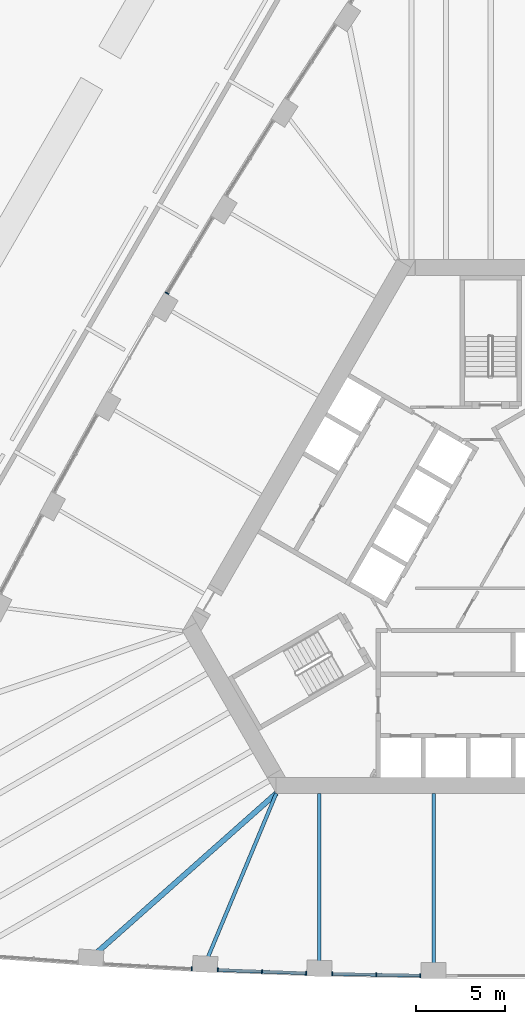
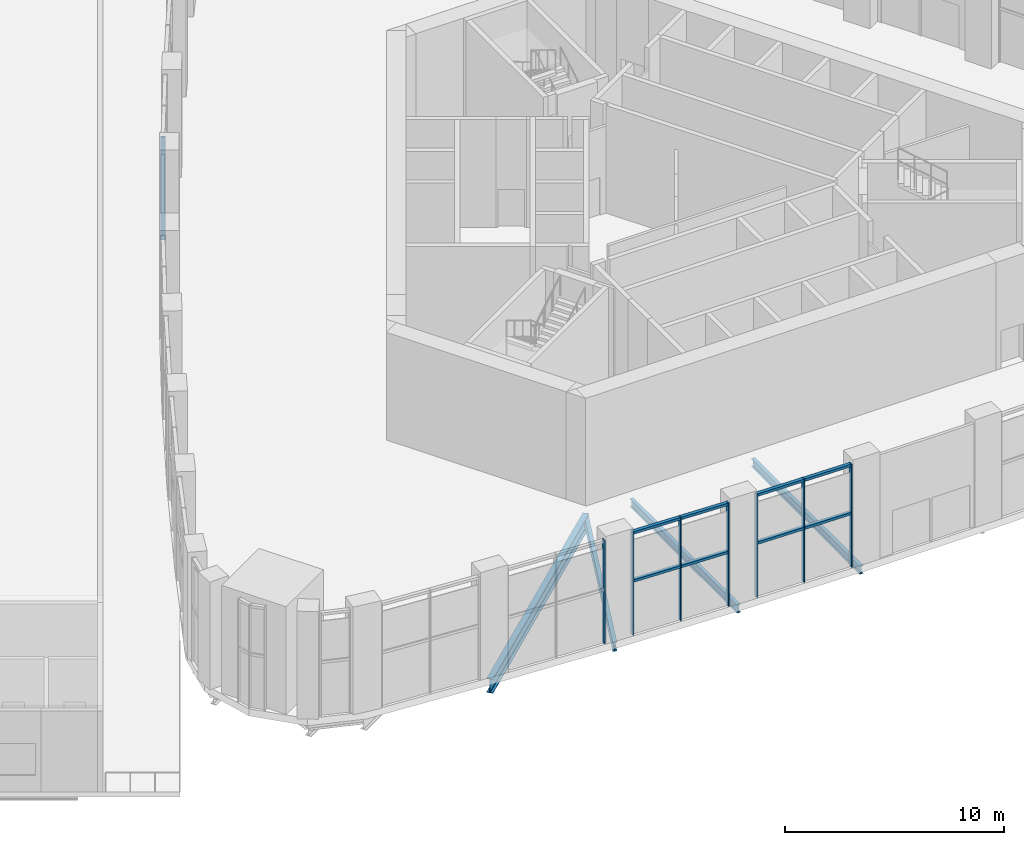
# One storey, part 5 of 41: 16 members, 4 beams, 2 elements without a shape of their own.
"""IFC4 building model written with IfcOpenShell, lengths in metres."""

import ifcopenshell
import ifcopenshell.guid

model = None  # the IFC model being written
_history = None  # IfcOwnerHistory: only IFC2X3 demands one
_inside = {}  # id of a spatial element -> (the spatial element, [elements in it])
_under = {}  # id of a project, library or spatial element -> (it, [spatial elements below it])
_declared = {}  # id of a project -> (the project, [libraries it declares])
_typed = {}  # id of a type object -> (the type object, [elements of that type])
_made_of = {}  # id of a material, layer set ... -> (it, [elements and type objects made of it])


def new_model(schema):
    """Start an empty IFC model of exactly this schema.

    Asked for "IFC4X3", IfcOpenShell would pick the latest addendum, in which some entities
    have other attributes; the version numbers below select the first issue.
    IFC2X3 requires an IfcOwnerHistory on every rooted entity: one is made here for all.
    """
    global model, _history
    if schema == "IFC4X3":
        model = ifcopenshell.file(schema_version=(4, 3, 0, 0))
    else:
        model = ifcopenshell.file(schema=schema)
    _inside.clear()
    _under.clear()
    _declared.clear()
    _typed.clear()
    _made_of.clear()
    _history = None
    if model.schema == "IFC2X3":
        org = make("IfcOrganization", Name="unknown")
        user = make(
            "IfcPersonAndOrganization",
            ThePerson=make("IfcPerson", FamilyName="unknown"),
            TheOrganization=org,
        )
        app = make(
            "IfcApplication",
            ApplicationDeveloper=org,
            Version="unknown",
            ApplicationFullName="unknown",
            ApplicationIdentifier="unknown",
        )
        _history = make(
            "IfcOwnerHistory",
            OwningUser=user,
            OwningApplication=app,
            ChangeAction="ADDED",
            CreationDate=0,
        )
    return model


def make(cls, **values):
    """One entity of the class cls with the attributes given. An attribute that is None is left unset."""
    return model.create_entity(
        cls, **{name: value for name, value in values.items() if value is not None}
    )


def rooted(cls, **values):
    """An entity with a GlobalId (a new one), such as an element, a storey or a relation."""
    return make(cls, GlobalId=ifcopenshell.guid.new(), OwnerHistory=_history, **values)


def si_unit(unit_type, name, prefix=None):
    """IfcSIUnit, for example si_unit("LENGTHUNIT", "METRE", prefix="MILLI")."""
    return make("IfcSIUnit", UnitType=unit_type, Prefix=prefix, Name=name)


def assignment(units):
    """IfcUnitAssignment: the units of a project."""
    return None if units is None else make("IfcUnitAssignment", Units=units)


def point(xyz):
    """IfcCartesianPoint."""
    return None if xyz is None else make("IfcCartesianPoint", Coordinates=xyz)


def direction(xyz):
    """IfcDirection."""
    return None if xyz is None else make("IfcDirection", DirectionRatios=xyz)


def frame(location, z_axis=None, x_axis=None):
    """IfcAxis2Placement3D, a coordinate frame: its origin and axes. An axis left out is left unset."""
    return make(
        "IfcAxis2Placement3D",
        Location=point(location),
        Axis=direction(z_axis),
        RefDirection=direction(x_axis),
    )


def frame_2d(location, x_axis=None):
    """IfcAxis2Placement2D, a coordinate frame in the plane: its origin and x axis."""
    return make(
        "IfcAxis2Placement2D", Location=point(location), RefDirection=direction(x_axis)
    )


def origin():
    """The frame at (0, 0, 0) with its axes left unset."""
    return frame((0.0, 0.0, 0.0))


def origin_2d():
    """The frame at (0, 0) in the plane with its x axis left unset."""
    return frame_2d((0.0, 0.0))


def place(relative_to, where):
    """IfcLocalPlacement: puts the frame where relative to a parent placement (None: the world)."""
    return make(
        "IfcLocalPlacement", PlacementRelTo=relative_to, RelativePlacement=where
    )


def context(
    kind, dimensions, precision=None, world=None, true_north=None, identifier=None
):
    """IfcGeometricRepresentationContext, for example the 3D "Model" context."""
    return make(
        "IfcGeometricRepresentationContext",
        ContextIdentifier=identifier,
        ContextType=kind,
        CoordinateSpaceDimension=dimensions,
        Precision=precision,
        WorldCoordinateSystem=world,
        TrueNorth=true_north,
    )


def subcontext(parent, identifier, kind, view, scale=None):
    """IfcGeometricRepresentationSubContext, for example "Body" below "Model"."""
    return make(
        "IfcGeometricRepresentationSubContext",
        ContextIdentifier=identifier,
        ContextType=kind,
        ParentContext=parent,
        TargetScale=scale,
        TargetView=view,
    )


def project(units=None, contexts=None):
    """IfcProject with its units and contexts."""
    return rooted(
        "IfcProject",
        Name="project",
        RepresentationContexts=contexts,
        UnitsInContext=assignment(units),
    )


def spatial(cls, under=None, at=None, **own):
    """A site, building, storey or space (cls), placed at a placement, below another one or the project."""
    s = rooted(cls, ObjectPlacement=at, **own)
    if under is not None:
        _under.setdefault(under.id(), (under, []))[1].append(s)
    return s


def profile(cls, at=None, kind="AREA", **sizes):
    """A parametric profile (cls). Its sizes go by their IFC names, for example OverallWidth=200.0."""
    return make(cls, ProfileType=kind, Position=at, **sizes)


def rectangle(**sizes):
    """IfcRectangleProfileDef."""
    return profile("IfcRectangleProfileDef", **sizes)


def i_section(**sizes):
    """IfcIShapeProfileDef."""
    return profile("IfcIShapeProfileDef", **sizes)


def extrude(swept, where, along, depth):
    """IfcExtrudedAreaSolid: the profile swept, set in the frame where, extruded along a direction by depth."""
    return make(
        "IfcExtrudedAreaSolid",
        SweptArea=swept,
        Position=where,
        ExtrudedDirection=direction(along),
        Depth=depth,
    )


def shape(context_of_items, identifier, shape_type, items):
    """IfcShapeRepresentation: the items that make up one representation, for example the "Body"."""
    return make(
        "IfcShapeRepresentation",
        ContextOfItems=context_of_items,
        RepresentationIdentifier=identifier,
        RepresentationType=shape_type,
        Items=items,
    )


def material(Name=None, Category=None):
    """IfcMaterial."""
    return make("IfcMaterial", Name=Name, Category=Category)


def material_profile(
    of_material, cross_section, Name=None, Category=None, Priority=None
):
    """IfcMaterialProfile: a cross section and its material."""
    return make(
        "IfcMaterialProfile",
        Name=Name,
        Material=of_material,
        Profile=cross_section,
        Priority=Priority,
        Category=Category,
    )


def profile_set(profiles, Name=None, composite=None):
    """IfcMaterialProfileSet."""
    return make(
        "IfcMaterialProfileSet",
        Name=Name,
        MaterialProfiles=profiles,
        CompositeProfile=composite,
    )


def made_of(thing, what):
    """Note that an element or type object is made of a material, layer set ...; save() writes the relation."""
    if what is not None:
        _made_of.setdefault(what.id(), (what, []))[1].append(thing)
    return thing


def type_object(cls, material=None, **own):
    """A type object (cls), such as IfcWallType, which elements share."""
    return made_of(rooted(cls, **own), material)


def element(
    cls,
    number,
    at=None,
    inside=None,
    cuts=None,
    type_object=None,
    material=None,
    context=None,
    identifier="Body",
    shape_type=None,
    held_by="IfcProductDefinitionShape",
    body=None,
    shapes=None,
    **own,
):
    """One element of the class cls, such as IfcWall. Its Tag is "e" and its number.

    at: its placement. inside: the storey or other place that contains it. cuts: it is an
    opening in that element (IfcRelVoidsElement). A single representation is given by context,
    identifier, shape_type and body (its items); several are given by shapes. held_by: the class
    of the entity that holds the representations. save() writes the other relations.
    """
    e = rooted(cls, Tag="e%d" % number, ObjectPlacement=at, **own)
    if body is not None:
        shapes = [shape(context, identifier, shape_type, body)]
    if shapes is not None:
        e.Representation = make(held_by, Representations=shapes)
    if inside is not None:
        _inside.setdefault(inside.id(), (inside, []))[1].append(e)
    if cuts is not None:
        rooted(
            "IfcRelVoidsElement", RelatingBuildingElement=cuts, RelatedOpeningElement=e
        )
    if type_object is not None:
        _typed.setdefault(type_object.id(), (type_object, []))[1].append(e)
    return made_of(e, material)


def aggregate(whole, parts):
    """IfcRelAggregates: a whole, such as a stair, and the parts it consists of."""
    return rooted("IfcRelAggregates", RelatingObject=whole, RelatedObjects=parts)


def save(model, path):
    """Write the relations noted so far, then the file.

    IfcRelAggregates (storeys below a building ...), IfcRelContainedInSpatialStructure (elements
    in a storey), IfcRelDefinesByType, IfcRelAssociatesMaterial and IfcRelDeclares: one each for
    every whole, place, type object, material and project.
    """
    for whole, parts in _under.values():
        aggregate(whole, parts)
    for where, things in _inside.values():
        rooted(
            "IfcRelContainedInSpatialStructure",
            RelatedElements=things,
            RelatingStructure=where,
        )
    for kind, things in _typed.values():
        rooted("IfcRelDefinesByType", RelatedObjects=things, RelatingType=kind)
    for what, things in _made_of.values():
        rooted("IfcRelAssociatesMaterial", RelatedObjects=things, RelatingMaterial=what)
    for by, libraries in _declared.values():
        rooted("IfcRelDeclares", RelatingContext=by, RelatedDefinitions=libraries)
    model.write(path)


model = new_model("IFC4")

# Units and contexts
model_context = context("Model", 3, precision=1e-05, world=origin(), true_north=direction((0.0, 1.0)))
body_context = subcontext(model_context, "Body", "Model", "MODEL_VIEW")
ifc_project = project(units=[si_unit("LENGTHUNIT", "METRE"), si_unit("AREAUNIT", "SQUARE_METRE"), si_unit("VOLUMEUNIT", "CUBIC_METRE"), si_unit("PLANEANGLEUNIT", "RADIAN"), si_unit("MASSUNIT", "GRAM", prefix="KILO")], contexts=[model_context])

# Site, building, storey
site_placement = place(None, origin())
site = spatial("IfcSite", under=ifc_project, at=site_placement, CompositionType="ELEMENT")
building_placement = place(site_placement, origin())
building = spatial("IfcBuilding", under=site, at=building_placement, Name="Mestral Congress Tower", CompositionType="ELEMENT")
storey_placement = place(building_placement, frame((0.0, 0.0, 21.60009765625)))
storey = spatial("IfcBuildingStorey", under=building, at=storey_placement, Name="L04", CompositionType="ELEMENT", Elevation=21.60009765625)

# Curtain wall, members
ifc_material_1 = material(Name="Clear low-emissivity double glazing", Category="glass")
curtain_wall_type = type_object("IfcCurtainWallType", Name="Facade arrival lobby curtain wall", PredefinedType="USERDEFINED", material=ifc_material_1)
placement = place(storey_placement, origin())
curtain_wall_1 = element("IfcCurtainWall", 1, at=placement, inside=storey, type_object=curtain_wall_type, Name="Facade arrival lobby curtain wall face 1", ObjectType="CURTAIN WALL", PredefinedType="USERDEFINED")
ifc_material_2 = material(Name="Anodised aluminium", Category="aluminium")
ifc_material_profile_1 = material_profile(ifc_material_2, rectangle(XDim=0.219970703125, YDim=0.06005859375, at=origin_2d()), Name="CW4 mullion 220 x 60")
ifc_profile_set_1 = profile_set([ifc_material_profile_1], Name="Anodised aluminium")
member_type_1 = type_object("IfcMemberType", Name="Facade arrival lobby curtain wall mullion", PredefinedType="MULLION", material=ifc_profile_set_1)
member_1_placement = place(storey_placement, frame((-16.74072265625, -22.8173828125, 0.0), z_axis=(0.0, 0.0, 1.0), x_axis=(-0.055427671282, -0.99846270499, 0.0)))
member_1 = element("IfcMember", 2, at=member_1_placement, type_object=member_type_1, Name="Facade arrival lobby curtain wall mullion", PredefinedType="MULLION", context=body_context, shape_type="SweptSolid", body=[
    extrude(rectangle(XDim=0.219970703125, YDim=0.06005859375, at=origin_2d()), origin(), (0.0, 0.0, 1.0), 5.75),
])
member_2_placement = place(storey_placement, frame((-15.275146484375, -22.88525390625, 0.0), z_axis=(0.0, 0.0, 1.0), x_axis=(-0.036968119987, -0.999316445429, 0.0)))
member_2 = element("IfcMember", 3, at=member_2_placement, type_object=member_type_1, Name="Facade arrival lobby curtain wall mullion", PredefinedType="MULLION", context=body_context, shape_type="SweptSolid", body=[
    extrude(rectangle(XDim=0.219970703125, YDim=0.06005859375, at=origin_2d()), origin(), (0.0, 0.0, 1.0), 5.75),
])
member_3_placement = place(storey_placement, frame((-12.8076171875, -22.9765625, 0.0), z_axis=(0.0, 0.0, 1.0), x_axis=(-0.036968119987, -0.999316445429, 0.0)))
member_3 = element("IfcMember", 4, at=member_3_placement, type_object=member_type_1, Name="Facade arrival lobby curtain wall mullion", PredefinedType="MULLION", context=body_context, shape_type="SweptSolid", body=[
    extrude(rectangle(XDim=0.219970703125, YDim=0.06005859375, at=origin_2d()), origin(), (0.0, 0.0, 1.0), 5.75),
])
member_4_placement = place(storey_placement, frame((-10.340087890625, -23.067626953125, 0.0), z_axis=(0.0, 0.0, 1.0), x_axis=(-0.036968119987, -0.999316445429, 0.0)))
member_4 = element("IfcMember", 5, at=member_4_placement, type_object=member_type_1, Name="Facade arrival lobby curtain wall mullion", PredefinedType="MULLION", context=body_context, shape_type="SweptSolid", body=[
    extrude(rectangle(XDim=0.219970703125, YDim=0.06005859375, at=origin_2d()), origin(), (0.0, 0.0, 1.0), 5.75),
])
member_5_placement = place(storey_placement, frame((-8.87353515625, -23.1083984375, 0.0), z_axis=(0.0, 0.0, 1.0), x_axis=(-0.018476749332, -0.999829290296, 0.0)))
member_5 = element("IfcMember", 6, at=member_5_placement, type_object=member_type_1, Name="Facade arrival lobby curtain wall mullion", PredefinedType="MULLION", context=body_context, shape_type="SweptSolid", body=[
    extrude(rectangle(XDim=0.219970703125, YDim=0.06005859375, at=origin_2d()), origin(), (0.0, 0.0, 1.0), 5.75),
])
member_6_placement = place(storey_placement, frame((-6.40478515625, -23.154052734375, 0.0), z_axis=(0.0, 0.0, 1.0), x_axis=(-0.018476749332, -0.999829290296, 0.0)))
member_6 = element("IfcMember", 7, at=member_6_placement, type_object=member_type_1, Name="Facade arrival lobby curtain wall mullion", PredefinedType="MULLION", context=body_context, shape_type="SweptSolid", body=[
    extrude(rectangle(XDim=0.219970703125, YDim=0.06005859375, at=origin_2d()), origin(), (0.0, 0.0, 1.0), 5.75),
])
member_7_placement = place(storey_placement, frame((-3.936279296875, -23.19970703125, 0.0), z_axis=(0.0, 0.0, 1.0), x_axis=(-0.018476749332, -0.999829290296, 0.0)))
member_7 = element("IfcMember", 8, at=member_7_placement, type_object=member_type_1, Name="Facade arrival lobby curtain wall mullion", PredefinedType="MULLION", context=body_context, shape_type="SweptSolid", body=[
    extrude(rectangle(XDim=0.219970703125, YDim=0.06005859375, at=origin_2d()), origin(), (0.0, 0.0, 1.0), 5.75),
])

# Curtain wall, member
curtain_wall_2 = element("IfcCurtainWall", 9, at=placement, inside=storey, type_object=curtain_wall_type, Name="Facade arrival lobby curtain wall face 3", ObjectType="CURTAIN WALL", PredefinedType="USERDEFINED")
member_8_placement = place(storey_placement, frame((-18.123291015625, 15.0087890625, 0.0), z_axis=(0.0, 0.0, 1.0), x_axis=(-0.856631086083, 0.515929435442, 0.0)))
member_8 = element("IfcMember", 10, at=member_8_placement, type_object=member_type_1, Name="Facade arrival lobby curtain wall mullion", PredefinedType="MULLION", context=body_context, shape_type="SweptSolid", body=[
    extrude(rectangle(XDim=0.219970703125, YDim=0.06005859375, at=origin_2d()), origin(), (0.0, 0.0, 1.0), 5.75),
])
aggregate(curtain_wall_2, [member_8])

# Member
ifc_material_profile_2 = material_profile(ifc_material_2, rectangle(XDim=0.179931640625, YDim=0.139892578125, at=origin_2d()), Name="CW4 transom 180 x 140")
ifc_profile_set_2 = profile_set([ifc_material_profile_2], Name="Anodised aluminium")
member_type_2 = type_object("IfcMemberType", Name="Facade arrival lobby curtain wall transom", PredefinedType="USERDEFINED", material=ifc_profile_set_2)
member_9_placement = place(storey_placement, frame((-15.2451171875, -22.88623046875, 3.0), z_axis=(0.999315666447, -0.036989171306, 0.0), x_axis=(0.036989171306, 0.999315666447, 0.0)))
member_9 = element("IfcMember", 11, at=member_9_placement, type_object=member_type_2, Name="Facade arrival lobby curtain wall transom", ObjectType="TRANSOM", PredefinedType="USERDEFINED", context=body_context, shape_type="SweptSolid", body=[
    extrude(rectangle(XDim=0.179931640625, YDim=0.139892578125, at=origin_2d()), origin(), (0.0, 0.0, 1.0), 2.4091796875),
])

member_10_placement = place(storey_placement, frame((-15.2451171875, -22.88623046875, 5.679931640625), z_axis=(0.999315666447, -0.036989171306, 0.0), x_axis=(0.036989171306, 0.999315666447, 0.0)))
member_10 = element("IfcMember", 12, at=member_10_placement, type_object=member_type_2, Name="Facade arrival lobby curtain wall transom", ObjectType="TRANSOM", PredefinedType="USERDEFINED", context=body_context, shape_type="SweptSolid", body=[
    extrude(rectangle(XDim=0.179931640625, YDim=0.139892578125, at=origin_2d()), origin(), (0.0, 0.0, 1.0), 2.4091796875),
])

member_11_placement = place(storey_placement, frame((-12.777587890625, -22.9775390625, 3.0), z_axis=(0.999315666447, -0.036989171306, 0.0), x_axis=(0.036989171306, 0.999315666447, 0.0)))
member_11 = element("IfcMember", 13, at=member_11_placement, type_object=member_type_2, Name="Facade arrival lobby curtain wall transom", ObjectType="TRANSOM", PredefinedType="USERDEFINED", context=body_context, shape_type="SweptSolid", body=[
    extrude(rectangle(XDim=0.179931640625, YDim=0.139892578125, at=origin_2d()), origin(), (0.0, 0.0, 1.0), 2.4091796875),
])

member_12_placement = place(storey_placement, frame((-12.777587890625, -22.9775390625, 5.679931640625), z_axis=(0.999315666447, -0.036989171306, 0.0), x_axis=(0.036989171306, 0.999315666447, 0.0)))
member_12 = element("IfcMember", 14, at=member_12_placement, type_object=member_type_2, Name="Facade arrival lobby curtain wall transom", ObjectType="TRANSOM", PredefinedType="USERDEFINED", context=body_context, shape_type="SweptSolid", body=[
    extrude(rectangle(XDim=0.179931640625, YDim=0.139892578125, at=origin_2d()), origin(), (0.0, 0.0, 1.0), 2.4091796875),
])

member_13_placement = place(storey_placement, frame((-8.843505859375, -23.10888671875, 3.0), z_axis=(0.999828020012, -0.018545360598, 0.0), x_axis=(0.018545360598, 0.999828020012, 0.0)))
member_13 = element("IfcMember", 15, at=member_13_placement, type_object=member_type_2, Name="Facade arrival lobby curtain wall transom", ObjectType="TRANSOM", PredefinedType="USERDEFINED", context=body_context, shape_type="SweptSolid", body=[
    extrude(rectangle(XDim=0.179931640625, YDim=0.139892578125, at=origin_2d()), origin(), (0.0, 0.0, 1.0), 2.4091796875),
])

member_14_placement = place(storey_placement, frame((-8.843505859375, -23.10888671875, 5.679931640625), z_axis=(0.999828020012, -0.018545360598, 0.0), x_axis=(0.018545360598, 0.999828020012, 0.0)))
member_14 = element("IfcMember", 16, at=member_14_placement, type_object=member_type_2, Name="Facade arrival lobby curtain wall transom", ObjectType="TRANSOM", PredefinedType="USERDEFINED", context=body_context, shape_type="SweptSolid", body=[
    extrude(rectangle(XDim=0.179931640625, YDim=0.139892578125, at=origin_2d()), origin(), (0.0, 0.0, 1.0), 2.4091796875),
])

member_15_placement = place(storey_placement, frame((-6.375, -23.154541015625, 3.0), z_axis=(0.999828020012, -0.018545360598, 0.0), x_axis=(0.018545360598, 0.999828020012, 0.0)))
member_15 = element("IfcMember", 17, at=member_15_placement, type_object=member_type_2, Name="Facade arrival lobby curtain wall transom", ObjectType="TRANSOM", PredefinedType="USERDEFINED", context=body_context, shape_type="SweptSolid", body=[
    extrude(rectangle(XDim=0.179931640625, YDim=0.139892578125, at=origin_2d()), origin(), (0.0, 0.0, 1.0), 2.4091796875),
])

member_16_placement = place(storey_placement, frame((-6.375, -23.154541015625, 5.679931640625), z_axis=(0.999828020012, -0.018545360598, 0.0), x_axis=(0.018545360598, 0.999828020012, 0.0)))
member_16 = element("IfcMember", 18, at=member_16_placement, type_object=member_type_2, Name="Facade arrival lobby curtain wall transom", ObjectType="TRANSOM", PredefinedType="USERDEFINED", context=body_context, shape_type="SweptSolid", body=[
    extrude(rectangle(XDim=0.179931640625, YDim=0.139892578125, at=origin_2d()), origin(), (0.0, 0.0, 1.0), 2.4091796875),
])

aggregate(curtain_wall_1, [member_1, member_2, member_3, member_4, member_9, member_10, member_11, member_12, member_5, member_6, member_7, member_13, member_14, member_15, member_16])

# Beams
ifc_material_3 = material(Name="Steel S355", Category="steel")
ifc_material_profile_3 = material_profile(ifc_material_3, i_section(OverallWidth=0.300048828125, OverallDepth=0.800048828125, WebThickness=0.017578125, FlangeThickness=0.032958984375, FilletRadius=0.030029296875, at=origin_2d()), Name="HEB 800")
ifc_profile_set_3 = profile_set([ifc_material_profile_3], Name="Steel S355")
beam_type_1 = type_object("IfcBeamType", Name="Floor beam HEB 800 S355", PredefinedType="BEAM", material=ifc_profile_set_3)
beam_1_placement = place(storey_placement, frame((-22.384521484375, -22.20361328125, -0.800048828125), z_axis=(0.748098457573, 0.663587746855, 0.0), x_axis=(-0.663587746855, 0.748098457573, 0.0)))
element("IfcBeam", 19, at=beam_1_placement, inside=storey, type_object=beam_type_1, Name="BM-L04-RB1-S01", PredefinedType="BEAM", context=body_context, shape_type="SweptSolid", body=[
    extrude(i_section(OverallWidth=0.300048828125, OverallDepth=0.800048828125, WebThickness=0.017578125, FlangeThickness=0.032958984375, FilletRadius=0.030029296875, at=origin_2d()), origin(), (0.0, 0.0, 1.0), 13.869384765625),
])
ifc_material_profile_4 = material_profile(ifc_material_3, i_section(OverallWidth=0.18994140625, OverallDepth=0.449951171875, WebThickness=0.009521484375, FlangeThickness=0.0146484375, FilletRadius=0.02099609375, at=origin_2d()), Name="IPE 450")
ifc_profile_set_4 = profile_set([ifc_material_profile_4], Name="Steel S355")
beam_type_2 = type_object("IfcBeamType", Name="Floor beam IPE 450 S355", PredefinedType="BEAM", material=ifc_profile_set_4)
beam_2_placement = place(storey_placement, frame((-9.598876953125, -22.794921875, -0.625), z_axis=(0.0, 1.0, 0.0), x_axis=(-1.0, 0.0, 0.0)))
element("IfcBeam", 20, at=beam_2_placement, inside=storey, type_object=beam_type_2, Name="BM-L04-RB1-S03", PredefinedType="BEAM", context=body_context, shape_type="SweptSolid", body=[
    extrude(i_section(OverallWidth=0.18994140625, OverallDepth=0.449951171875, WebThickness=0.009521484375, FlangeThickness=0.0146484375, FilletRadius=0.02099609375, at=origin_2d()), origin(), (0.0, 0.0, 1.0), 9.794921875),
])
beam_3_placement = place(storey_placement, frame((-3.199951171875, -22.9130859375, -0.625), z_axis=(0.0, 1.0, 0.0), x_axis=(-1.0, 0.0, 0.0)))
element("IfcBeam", 21, at=beam_3_placement, inside=storey, type_object=beam_type_2, Name="BM-L04-RB1-S04", PredefinedType="BEAM", context=body_context, shape_type="SweptSolid", body=[
    extrude(i_section(OverallWidth=0.18994140625, OverallDepth=0.449951171875, WebThickness=0.009521484375, FlangeThickness=0.0146484375, FilletRadius=0.02099609375, at=origin_2d()), origin(), (0.0, 0.0, 1.0), 9.9130859375),
])
ifc_material_profile_5 = material_profile(ifc_material_3, i_section(OverallWidth=0.199951171875, OverallDepth=0.5, WebThickness=0.01025390625, FlangeThickness=0.01611328125, FilletRadius=0.02099609375, at=origin_2d()), Name="IPE 500")
ifc_profile_set_5 = profile_set([ifc_material_profile_5], Name="Steel S355")
beam_type_3 = type_object("IfcBeamType", Name="Floor beam IPE 500 S355", PredefinedType="BEAM", material=ifc_profile_set_5)
beam_4_placement = place(storey_placement, frame((-15.994384765625, -22.558349609375, -0.650146484375), z_axis=(0.384858093786, 0.922975756804, 0.0), x_axis=(-0.922975756804, 0.384858093786, 0.0)))
element("IfcBeam", 22, at=beam_4_placement, inside=storey, type_object=beam_type_3, Name="BM-L04-RB1-S02", PredefinedType="BEAM", context=body_context, shape_type="SweptSolid", body=[
    extrude(i_section(OverallWidth=0.199951171875, OverallDepth=0.5, WebThickness=0.01025390625, FlangeThickness=0.01611328125, FilletRadius=0.02099609375, at=origin_2d()), origin(), (0.0, 0.0, 1.0), 10.35595703125),
])

save(model, "model.ifc")
